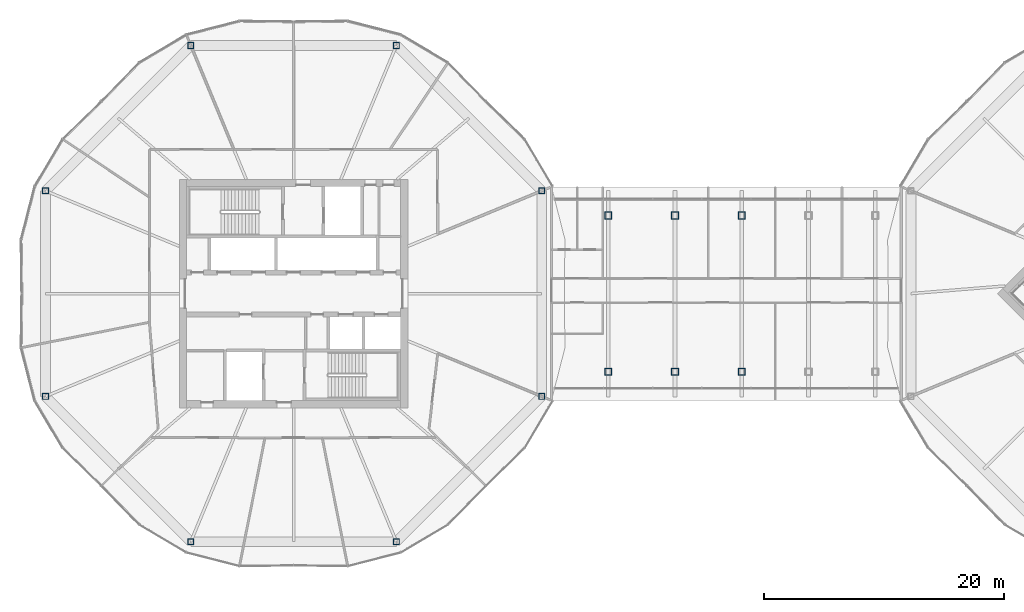
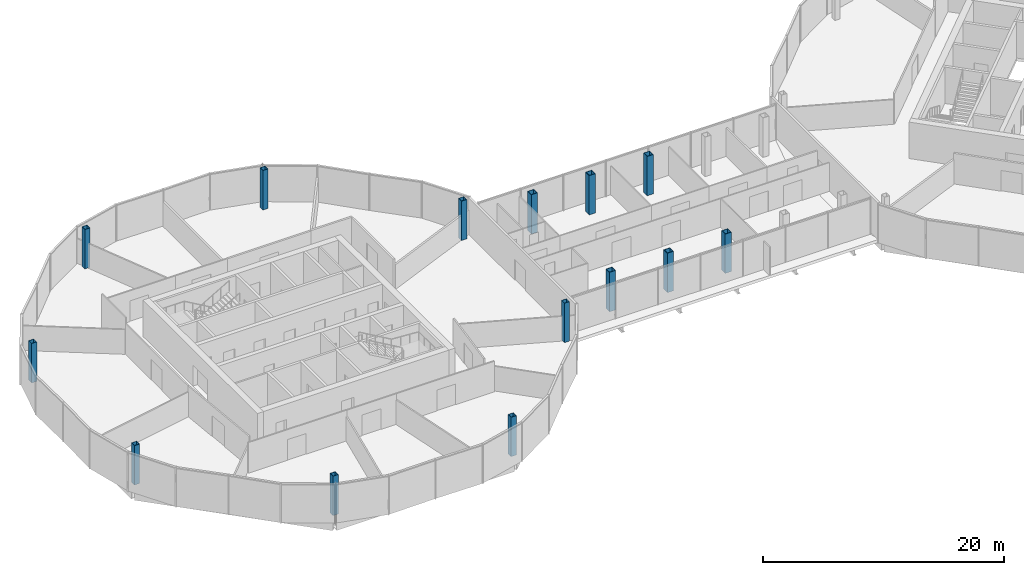
# One storey, part 1 of 26: 14 columns.
"""IFC4 building model written with IfcOpenShell, lengths in metres."""

import ifcopenshell
import ifcopenshell.guid

model = None  # the IFC model being written
_history = None  # IfcOwnerHistory: only IFC2X3 demands one
_inside = {}  # id of a spatial element -> (the spatial element, [elements in it])
_under = {}  # id of a project, library or spatial element -> (it, [spatial elements below it])
_declared = {}  # id of a project -> (the project, [libraries it declares])
_typed = {}  # id of a type object -> (the type object, [elements of that type])
_made_of = {}  # id of a material, layer set ... -> (it, [elements and type objects made of it])


def new_model(schema):
    """Start an empty IFC model of exactly this schema.

    Asked for "IFC4X3", IfcOpenShell would pick the latest addendum, in which some entities
    have other attributes; the version numbers below select the first issue.
    IFC2X3 requires an IfcOwnerHistory on every rooted entity: one is made here for all.
    """
    global model, _history
    if schema == "IFC4X3":
        model = ifcopenshell.file(schema_version=(4, 3, 0, 0))
    else:
        model = ifcopenshell.file(schema=schema)
    _inside.clear()
    _under.clear()
    _declared.clear()
    _typed.clear()
    _made_of.clear()
    _history = None
    if model.schema == "IFC2X3":
        org = make("IfcOrganization", Name="unknown")
        user = make(
            "IfcPersonAndOrganization",
            ThePerson=make("IfcPerson", FamilyName="unknown"),
            TheOrganization=org,
        )
        app = make(
            "IfcApplication",
            ApplicationDeveloper=org,
            Version="unknown",
            ApplicationFullName="unknown",
            ApplicationIdentifier="unknown",
        )
        _history = make(
            "IfcOwnerHistory",
            OwningUser=user,
            OwningApplication=app,
            ChangeAction="ADDED",
            CreationDate=0,
        )
    return model


def make(cls, **values):
    """One entity of the class cls with the attributes given. An attribute that is None is left unset."""
    return model.create_entity(
        cls, **{name: value for name, value in values.items() if value is not None}
    )


def rooted(cls, **values):
    """An entity with a GlobalId (a new one), such as an element, a storey or a relation."""
    return make(cls, GlobalId=ifcopenshell.guid.new(), OwnerHistory=_history, **values)


def si_unit(unit_type, name, prefix=None):
    """IfcSIUnit, for example si_unit("LENGTHUNIT", "METRE", prefix="MILLI")."""
    return make("IfcSIUnit", UnitType=unit_type, Prefix=prefix, Name=name)


def assignment(units):
    """IfcUnitAssignment: the units of a project."""
    return None if units is None else make("IfcUnitAssignment", Units=units)


def point(xyz):
    """IfcCartesianPoint."""
    return None if xyz is None else make("IfcCartesianPoint", Coordinates=xyz)


def direction(xyz):
    """IfcDirection."""
    return None if xyz is None else make("IfcDirection", DirectionRatios=xyz)


def frame(location, z_axis=None, x_axis=None):
    """IfcAxis2Placement3D, a coordinate frame: its origin and axes. An axis left out is left unset."""
    return make(
        "IfcAxis2Placement3D",
        Location=point(location),
        Axis=direction(z_axis),
        RefDirection=direction(x_axis),
    )


def frame_2d(location, x_axis=None):
    """IfcAxis2Placement2D, a coordinate frame in the plane: its origin and x axis."""
    return make(
        "IfcAxis2Placement2D", Location=point(location), RefDirection=direction(x_axis)
    )


def origin():
    """The frame at (0, 0, 0) with its axes left unset."""
    return frame((0.0, 0.0, 0.0))


def origin_2d():
    """The frame at (0, 0) in the plane with its x axis left unset."""
    return frame_2d((0.0, 0.0))


def place(relative_to, where):
    """IfcLocalPlacement: puts the frame where relative to a parent placement (None: the world)."""
    return make(
        "IfcLocalPlacement", PlacementRelTo=relative_to, RelativePlacement=where
    )


def context(
    kind, dimensions, precision=None, world=None, true_north=None, identifier=None
):
    """IfcGeometricRepresentationContext, for example the 3D "Model" context."""
    return make(
        "IfcGeometricRepresentationContext",
        ContextIdentifier=identifier,
        ContextType=kind,
        CoordinateSpaceDimension=dimensions,
        Precision=precision,
        WorldCoordinateSystem=world,
        TrueNorth=true_north,
    )


def subcontext(parent, identifier, kind, view, scale=None):
    """IfcGeometricRepresentationSubContext, for example "Body" below "Model"."""
    return make(
        "IfcGeometricRepresentationSubContext",
        ContextIdentifier=identifier,
        ContextType=kind,
        ParentContext=parent,
        TargetScale=scale,
        TargetView=view,
    )


def project(units=None, contexts=None):
    """IfcProject with its units and contexts."""
    return rooted(
        "IfcProject",
        Name="project",
        RepresentationContexts=contexts,
        UnitsInContext=assignment(units),
    )


def spatial(cls, under=None, at=None, **own):
    """A site, building, storey or space (cls), placed at a placement, below another one or the project."""
    s = rooted(cls, ObjectPlacement=at, **own)
    if under is not None:
        _under.setdefault(under.id(), (under, []))[1].append(s)
    return s


def profile(cls, at=None, kind="AREA", **sizes):
    """A parametric profile (cls). Its sizes go by their IFC names, for example OverallWidth=200.0."""
    return make(cls, ProfileType=kind, Position=at, **sizes)


def hollow_rectangle(**sizes):
    """IfcRectangleHollowProfileDef."""
    return profile("IfcRectangleHollowProfileDef", **sizes)


def extrude(swept, where, along, depth):
    """IfcExtrudedAreaSolid: the profile swept, set in the frame where, extruded along a direction by depth."""
    return make(
        "IfcExtrudedAreaSolid",
        SweptArea=swept,
        Position=where,
        ExtrudedDirection=direction(along),
        Depth=depth,
    )


def shape(context_of_items, identifier, shape_type, items):
    """IfcShapeRepresentation: the items that make up one representation, for example the "Body"."""
    return make(
        "IfcShapeRepresentation",
        ContextOfItems=context_of_items,
        RepresentationIdentifier=identifier,
        RepresentationType=shape_type,
        Items=items,
    )


def material(Name=None, Category=None):
    """IfcMaterial."""
    return make("IfcMaterial", Name=Name, Category=Category)


def material_profile(
    of_material, cross_section, Name=None, Category=None, Priority=None
):
    """IfcMaterialProfile: a cross section and its material."""
    return make(
        "IfcMaterialProfile",
        Name=Name,
        Material=of_material,
        Profile=cross_section,
        Priority=Priority,
        Category=Category,
    )


def profile_set(profiles, Name=None, composite=None):
    """IfcMaterialProfileSet."""
    return make(
        "IfcMaterialProfileSet",
        Name=Name,
        MaterialProfiles=profiles,
        CompositeProfile=composite,
    )


def made_of(thing, what):
    """Note that an element or type object is made of a material, layer set ...; save() writes the relation."""
    if what is not None:
        _made_of.setdefault(what.id(), (what, []))[1].append(thing)
    return thing


def type_object(cls, material=None, **own):
    """A type object (cls), such as IfcWallType, which elements share."""
    return made_of(rooted(cls, **own), material)


def element(
    cls,
    number,
    at=None,
    inside=None,
    cuts=None,
    type_object=None,
    material=None,
    context=None,
    identifier="Body",
    shape_type=None,
    held_by="IfcProductDefinitionShape",
    body=None,
    shapes=None,
    **own,
):
    """One element of the class cls, such as IfcWall. Its Tag is "e" and its number.

    at: its placement. inside: the storey or other place that contains it. cuts: it is an
    opening in that element (IfcRelVoidsElement). A single representation is given by context,
    identifier, shape_type and body (its items); several are given by shapes. held_by: the class
    of the entity that holds the representations. save() writes the other relations.
    """
    e = rooted(cls, Tag="e%d" % number, ObjectPlacement=at, **own)
    if body is not None:
        shapes = [shape(context, identifier, shape_type, body)]
    if shapes is not None:
        e.Representation = make(held_by, Representations=shapes)
    if inside is not None:
        _inside.setdefault(inside.id(), (inside, []))[1].append(e)
    if cuts is not None:
        rooted(
            "IfcRelVoidsElement", RelatingBuildingElement=cuts, RelatedOpeningElement=e
        )
    if type_object is not None:
        _typed.setdefault(type_object.id(), (type_object, []))[1].append(e)
    return made_of(e, material)


def aggregate(whole, parts):
    """IfcRelAggregates: a whole, such as a stair, and the parts it consists of."""
    return rooted("IfcRelAggregates", RelatingObject=whole, RelatedObjects=parts)


def save(model, path):
    """Write the relations noted so far, then the file.

    IfcRelAggregates (storeys below a building ...), IfcRelContainedInSpatialStructure (elements
    in a storey), IfcRelDefinesByType, IfcRelAssociatesMaterial and IfcRelDeclares: one each for
    every whole, place, type object, material and project.
    """
    for whole, parts in _under.values():
        aggregate(whole, parts)
    for where, things in _inside.values():
        rooted(
            "IfcRelContainedInSpatialStructure",
            RelatedElements=things,
            RelatingStructure=where,
        )
    for kind, things in _typed.values():
        rooted("IfcRelDefinesByType", RelatedObjects=things, RelatingType=kind)
    for what, things in _made_of.values():
        rooted("IfcRelAssociatesMaterial", RelatedObjects=things, RelatingMaterial=what)
    for by, libraries in _declared.values():
        rooted("IfcRelDeclares", RelatingContext=by, RelatedDefinitions=libraries)
    model.write(path)


model = new_model("IFC4")

# Units and contexts
model_context = context("Model", 3, precision=1e-05, world=origin(), true_north=direction((0.0, 1.0)))
body_context = subcontext(model_context, "Body", "Model", "MODEL_VIEW")
ifc_project = project(units=[si_unit("LENGTHUNIT", "METRE"), si_unit("AREAUNIT", "SQUARE_METRE"), si_unit("VOLUMEUNIT", "CUBIC_METRE"), si_unit("PLANEANGLEUNIT", "RADIAN"), si_unit("MASSUNIT", "GRAM", prefix="KILO")], contexts=[model_context])

# Site, building, storey
site_placement = place(None, origin())
site = spatial("IfcSite", under=ifc_project, at=site_placement, CompositionType="ELEMENT")
building_placement = place(site_placement, origin())
building = spatial("IfcBuilding", under=site, at=building_placement, Name="Ogive Gate Towers", CompositionType="ELEMENT")
storey_placement = place(building_placement, frame((0.0, 0.0, 148.800048828125)))
storey = spatial("IfcBuildingStorey", under=building, at=storey_placement, Name="L35", CompositionType="ELEMENT", Elevation=148.800048828125)

# Columns
ifc_material = material(Name="Steel SM460", Category="steel")
ifc_material_profile_1 = material_profile(ifc_material, hollow_rectangle(XDim=0.60009765625, YDim=0.60009765625, WallThickness=0.0400390625, at=origin_2d()), Name="BX 600x600x40")
ifc_profile_set_1 = profile_set([ifc_material_profile_1], Name="Steel SM460")
column_type_1 = type_object("IfcColumnType", Name="Block column BX 600x600x40", PredefinedType="COLUMN", material=ifc_profile_set_1)
for number, where, z_axis, x_axis, name in (
    (1, (-9.83056640625, -6.5, 0.0), (0.0, 0.0, 1.0), (1.0, 0.0, 0.0), "BR/L35/SCL001"),
    (2, (-9.83056640625, 6.5, 0.0), (0.0, 0.0, 1.0), (1.0, 0.0, 0.0), "BR/L35/SCL002"),
    (3, (-4.27392578125, -6.5, 0.0), (0.0, 0.0, 1.0), (1.0, 0.0, 0.0), "BR/L35/SCL003"),
    (4, (-4.27392578125, 6.5, 0.0), (0.0, 0.0, 1.0), (1.0, 0.0, 0.0), "BR/L35/SCL004"),
    (5, (1.282470703125, -6.5, 0.0), (0.0, 0.0, 1.0), (1.0, 0.0, 0.0), "BR/L35/SCL005"),
    (6, (1.282470703125, 6.5, 0.0), (0.0, 0.0, 1.0), (1.0, 0.0, 0.0), "BR/L35/SCL006"),
):
    element("IfcColumn", number, at=place(storey_placement, frame(where, z_axis=z_axis, x_axis=x_axis)), inside=storey, type_object=column_type_1, Name=name, PredefinedType="COLUMN", context=body_context, shape_type="SweptSolid", body=[
        extrude(hollow_rectangle(XDim=0.60009765625, YDim=0.60009765625, WallThickness=0.0400390625, at=origin_2d()), origin(), (0.0, 0.0, 1.0), 4.0),
    ])
ifc_material_profile_2 = material_profile(ifc_material, hollow_rectangle(XDim=0.5, YDim=0.5, WallThickness=0.030029296875, at=origin_2d()), Name="BX 500x500x30")
ifc_profile_set_2 = profile_set([ifc_material_profile_2], Name="Steel SM460")
column_type_2 = type_object("IfcColumnType", Name="Perimeter post BX 500x500x30", PredefinedType="COLUMN", material=ifc_profile_set_2)
for number, where, z_axis, x_axis, name in (
    (7, (-15.360595703125, 8.549072265625, 0.0), (0.0, 0.0, 1.0), (1.0, 0.0, 0.0), "T1/L35/SCL001"),
    (8, (-27.450927734375, 20.639404296875, 0.0), (0.0, 0.0, 1.0), (1.0, 0.0, 0.0), "T1/L35/SCL002"),
    (9, (-44.549072265625, 20.639404296875, 0.0), (0.0, 0.0, 1.0), (1.0, 0.0, 0.0), "T1/L35/SCL003"),
    (10, (-56.639404296875, 8.549072265625, 0.0), (0.0, 0.0, 1.0), (1.0, 0.0, 0.0), "T1/L35/SCL004"),
    (11, (-56.639404296875, -8.549072265625, 0.0), (0.0, 0.0, 1.0), (1.0, 0.0, 0.0), "T1/L35/SCL005"),
    (12, (-44.549072265625, -20.639404296875, 0.0), (0.0, 0.0, 1.0), (1.0, 0.0, 0.0), "T1/L35/SCL006"),
    (13, (-27.450927734375, -20.639404296875, 0.0), (0.0, 0.0, 1.0), (1.0, 0.0, 0.0), "T1/L35/SCL007"),
    (14, (-15.360595703125, -8.549072265625, 0.0), (0.0, 0.0, 1.0), (1.0, 0.0, 0.0), "T1/L35/SCL008"),
):
    element("IfcColumn", number, at=place(storey_placement, frame(where, z_axis=z_axis, x_axis=x_axis)), inside=storey, type_object=column_type_2, Name=name, PredefinedType="COLUMN", context=body_context, shape_type="SweptSolid", body=[
        extrude(hollow_rectangle(XDim=0.5, YDim=0.5, WallThickness=0.030029296875, at=origin_2d()), origin(), (0.0, 0.0, 1.0), 4.0),
    ])

save(model, "model.ifc")
